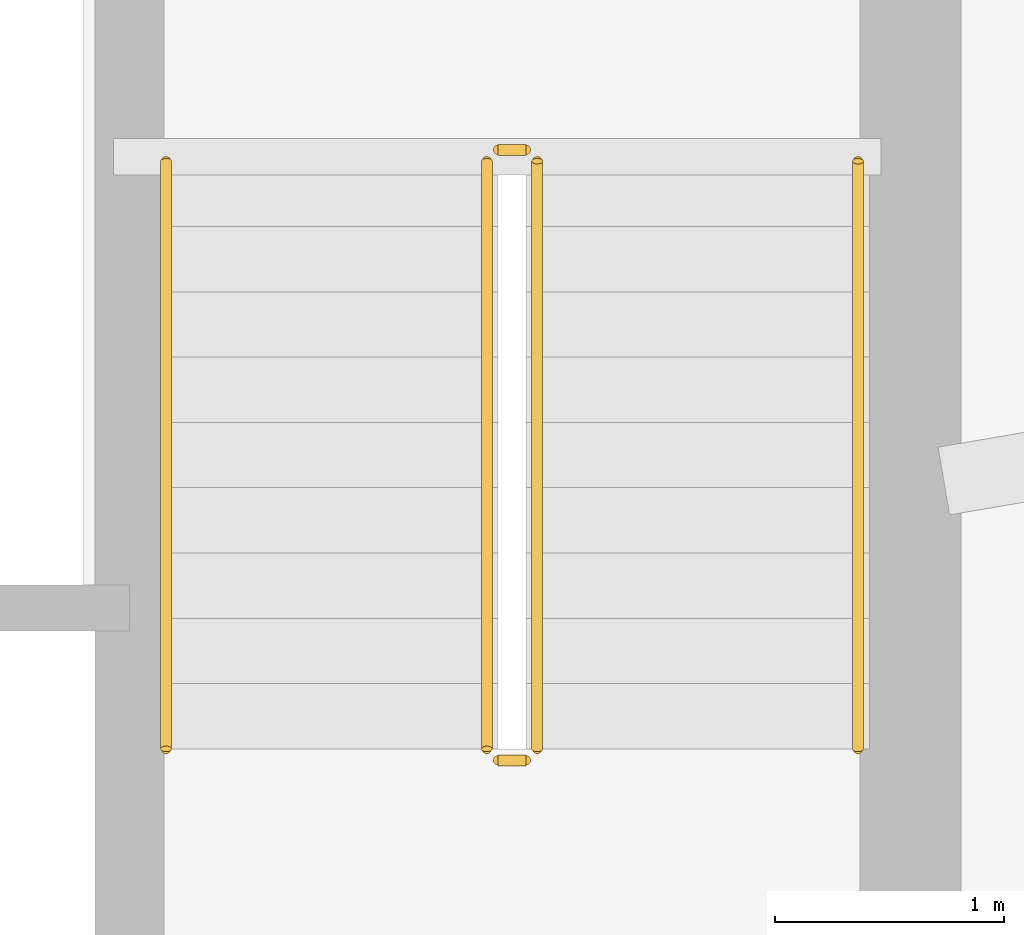
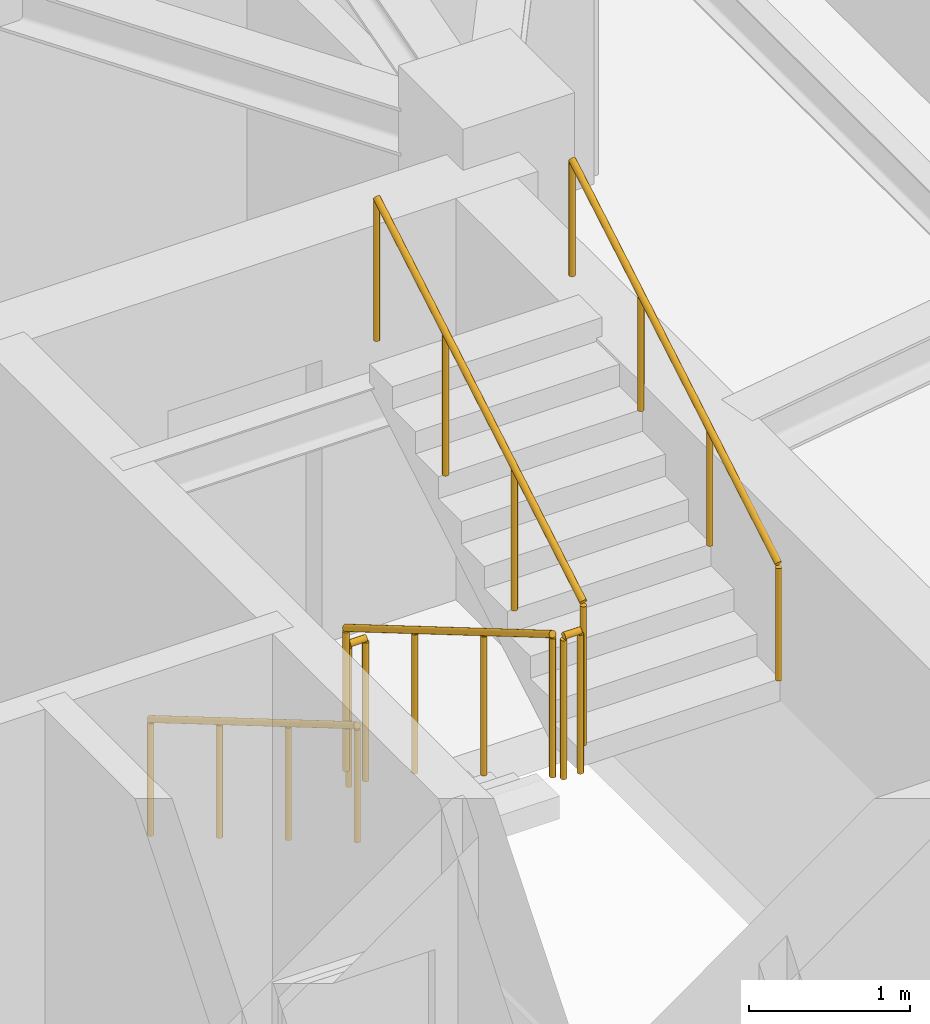
# One storey, part 10 of 10: 6 railings.
"""IFC4 building model written with IfcOpenShell, lengths in metres."""

from ifc_helpers import new_model, si_unit, direction, frame, origin, origin_2d, place, context, subcontext, project, spatial, circle, extrude, material, type_object, element, save


model = new_model("IFC4")

# Units and contexts
model_context = context("Model", 3, precision=1e-05, world=origin(), true_north=direction((0.0, 1.0)))
body_context = subcontext(model_context, "Body", "Model", "MODEL_VIEW")
ifc_project = project(units=[si_unit("LENGTHUNIT", "METRE"), si_unit("AREAUNIT", "SQUARE_METRE"), si_unit("VOLUMEUNIT", "CUBIC_METRE"), si_unit("PLANEANGLEUNIT", "RADIAN"), si_unit("MASSUNIT", "GRAM", prefix="KILO")], contexts=[model_context])

# Site, building, storey
site_placement = place(None, origin())
site = spatial("IfcSite", under=ifc_project, at=site_placement, CompositionType="ELEMENT")
building_placement = place(site_placement, origin())
building = spatial("IfcBuilding", under=site, at=building_placement, Name="Qobustan Lattice House", CompositionType="ELEMENT")
storey_placement = place(building_placement, frame((0.0, 0.0, 231.64990234375)))
storey = spatial("IfcBuildingStorey", under=building, at=storey_placement, Name="L65", CompositionType="ELEMENT", Elevation=231.64990234375)

# Railings
ifc_material_1 = material(Name="Brushed stainless steel handrail", Category="steel")
railing_type_1 = type_object("IfcRailingType", Name="RAL-HR-920", PredefinedType="HANDRAIL", material=ifc_material_1)
railing_1_placement = place(storey_placement, frame((15.179931640625, 3.5, 0.16748046875)))
element("IfcRailing", 1, at=railing_1_placement, inside=storey, type_object=railing_type_1, Name="L65 ST-E1 stair handrail 1", PredefinedType="HANDRAIL", context=body_context, shape_type="SweptSolid", body=[
    extrude(circle(Radius=0.02392578125, at=origin_2d()), frame((0.0, 0.0, 0.8759765625), z_axis=(0.0, -0.862113467892, 0.50671527358), x_axis=(1.0, 0.0, 0.0)), (0.0, 0.0, 1.0), 2.97509765625),
    extrude(circle(Radius=0.02099609375, at=origin_2d()), origin(), (0.0, 0.0, 1.0), 0.851806640625),
    extrude(circle(Radius=0.02099609375, at=origin_2d()), frame((0.0, -0.85498046875, 0.50244140625)), (0.0, 0.0, 1.0), 0.851806640625),
    extrude(circle(Radius=0.02099609375, at=origin_2d()), frame((0.0, -1.7099609375, 1.005126953125)), (0.0, 0.0, 1.0), 0.851806640625),
    extrude(circle(Radius=0.02099609375, at=origin_2d()), frame((0.0, -2.56494140625, 1.507568359375)), (0.0, 0.0, 1.0), 0.851806640625),
])
railing_2_placement = place(storey_placement, frame((18.199951171875, 0.93505859375, 1.842529296875)))
element("IfcRailing", 2, at=railing_2_placement, inside=storey, type_object=railing_type_1, Name="L65 ST-E1 stair handrail 2", PredefinedType="HANDRAIL", context=body_context, shape_type="SweptSolid", body=[
    extrude(circle(Radius=0.02392578125, at=origin_2d()), frame((0.0, 0.0, 0.8759765625), z_axis=(0.0, 0.862113467892, 0.50671527358), x_axis=(-1.0, 0.0, 0.0)), (0.0, 0.0, 1.0), 2.97509765625),
    extrude(circle(Radius=0.02099609375, at=origin_2d()), origin(), (0.0, 0.0, 1.0), 0.851806640625),
    extrude(circle(Radius=0.02099609375, at=origin_2d()), frame((0.0, 0.85498046875, 0.50244140625)), (0.0, 0.0, 1.0), 0.851806640625),
    extrude(circle(Radius=0.02099609375, at=origin_2d()), frame((0.0, 1.7099609375, 1.005126953125)), (0.0, 0.0, 1.0), 0.851806640625),
    extrude(circle(Radius=0.02099609375, at=origin_2d()), frame((0.0, 2.56494140625, 1.507568359375)), (0.0, 0.0, 1.0), 0.851806640625),
])
ifc_material_2 = material(Name="Painted galvanized steel guardrail", Category="steel")
railing_type_2 = type_object("IfcRailingType", Name="RAL-STG-1150", PredefinedType="GUARDRAIL", material=ifc_material_2)
railing_3_placement = place(storey_placement, frame((16.580078125, 3.5, 0.16748046875)))
element("IfcRailing", 3, at=railing_3_placement, inside=storey, type_object=railing_type_2, Name="L65 ST-E1 stair guard 1", PredefinedType="GUARDRAIL", context=body_context, shape_type="SweptSolid", body=[
    extrude(circle(Radius=0.02392578125, at=origin_2d()), frame((0.0, 0.0, 1.076171875), z_axis=(0.0, -0.862113467892, 0.50671527358), x_axis=(1.0, 0.0, 0.0)), (0.0, 0.0, 1.0), 2.97509765625),
    extrude(circle(Radius=0.02099609375, at=origin_2d()), origin(), (0.0, 0.0, 1.0), 1.052001953125),
    extrude(circle(Radius=0.02099609375, at=origin_2d()), frame((0.0, -0.85498046875, 0.50244140625)), (0.0, 0.0, 1.0), 1.052001953125),
    extrude(circle(Radius=0.02099609375, at=origin_2d()), frame((0.0, -1.7099609375, 1.005126953125)), (0.0, 0.0, 1.0), 1.052001953125),
    extrude(circle(Radius=0.02099609375, at=origin_2d()), frame((0.0, -2.56494140625, 1.507568359375)), (0.0, 0.0, 1.0), 1.052001953125),
])
railing_4_placement = place(storey_placement, frame((16.6298828125, 0.885009765625, 1.675048828125)))
element("IfcRailing", 4, at=railing_4_placement, inside=storey, type_object=railing_type_2, Name="L65 ST-E1 stair guard 2", PredefinedType="GUARDRAIL", context=body_context, shape_type="SweptSolid", body=[
    extrude(circle(Radius=0.02392578125, at=origin_2d()), frame((0.0, 0.0, 1.076171875), z_axis=(1.0, 0.0, 0.0), x_axis=(0.0, 1.0, 0.0)), (0.0, 0.0, 1.0), 0.1201171875),
    extrude(circle(Radius=0.02099609375, at=origin_2d()), origin(), (0.0, 0.0, 1.0), 1.052001953125),
    extrude(circle(Radius=0.02099609375, at=origin_2d()), frame((0.1201171875, 0.0, 0.0)), (0.0, 0.0, 1.0), 1.052001953125),
])
railing_5_placement = place(storey_placement, frame((16.800048828125, 0.93505859375, 1.842529296875)))
element("IfcRailing", 5, at=railing_5_placement, inside=storey, type_object=railing_type_2, Name="L65 ST-E1 stair guard 3", PredefinedType="GUARDRAIL", context=body_context, shape_type="SweptSolid", body=[
    extrude(circle(Radius=0.02392578125, at=origin_2d()), frame((0.0, 0.0, 1.076171875), z_axis=(0.0, 0.862113467892, 0.50671527358), x_axis=(-1.0, 0.0, 0.0)), (0.0, 0.0, 1.0), 2.97509765625),
    extrude(circle(Radius=0.02099609375, at=origin_2d()), origin(), (0.0, 0.0, 1.0), 1.052001953125),
    extrude(circle(Radius=0.02099609375, at=origin_2d()), frame((0.0, 0.85498046875, 0.50244140625)), (0.0, 0.0, 1.0), 1.052001953125),
    extrude(circle(Radius=0.02099609375, at=origin_2d()), frame((0.0, 1.7099609375, 1.005126953125)), (0.0, 0.0, 1.0), 1.052001953125),
    extrude(circle(Radius=0.02099609375, at=origin_2d()), frame((0.0, 2.56494140625, 1.507568359375)), (0.0, 0.0, 1.0), 1.052001953125),
])
railing_6_placement = place(storey_placement, frame((16.6298828125, 3.550048828125, 0.0)))
element("IfcRailing", 6, at=railing_6_placement, inside=storey, type_object=railing_type_2, Name="L65 ST-E1 stair guard 4", PredefinedType="GUARDRAIL", context=body_context, shape_type="SweptSolid", body=[
    extrude(circle(Radius=0.02392578125, at=origin_2d()), frame((0.0, 0.0, 1.076171875), z_axis=(1.0, 0.0, 0.0), x_axis=(0.0, 1.0, 0.0)), (0.0, 0.0, 1.0), 0.1201171875),
    extrude(circle(Radius=0.02099609375, at=origin_2d()), origin(), (0.0, 0.0, 1.0), 1.052001953125),
    extrude(circle(Radius=0.02099609375, at=origin_2d()), frame((0.1201171875, 0.0, 0.0)), (0.0, 0.0, 1.0), 1.052001953125),
])

save(model, "model.ifc")
